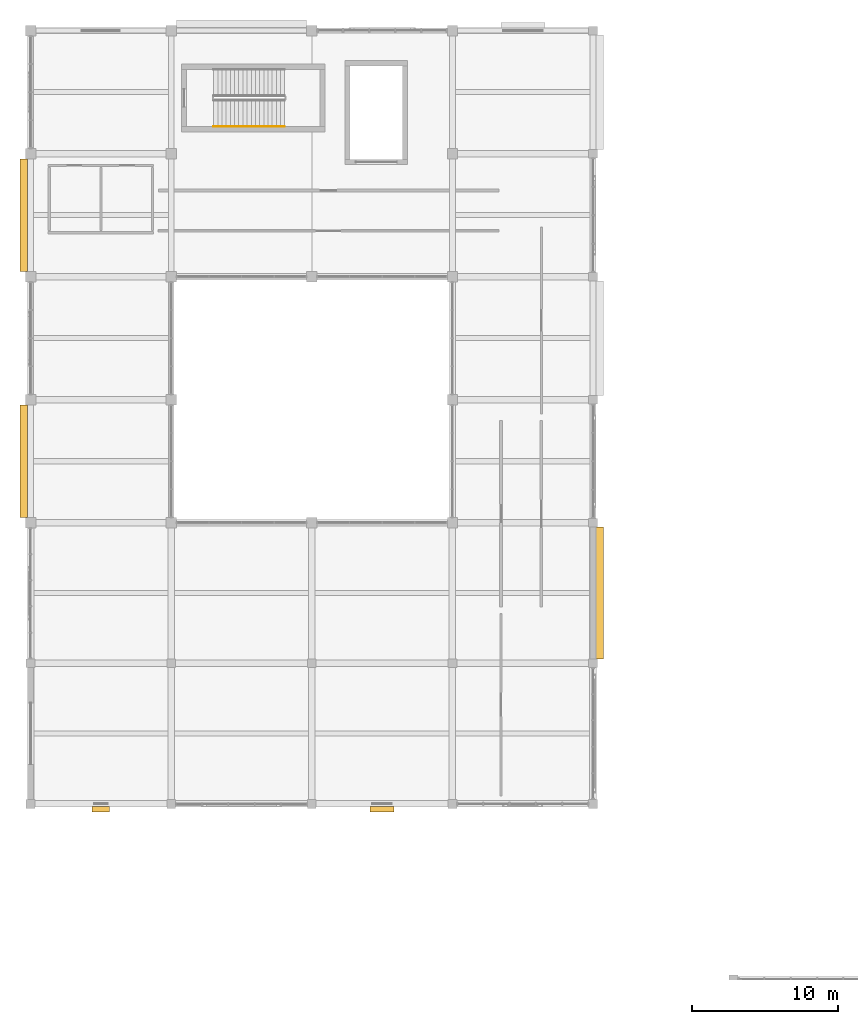
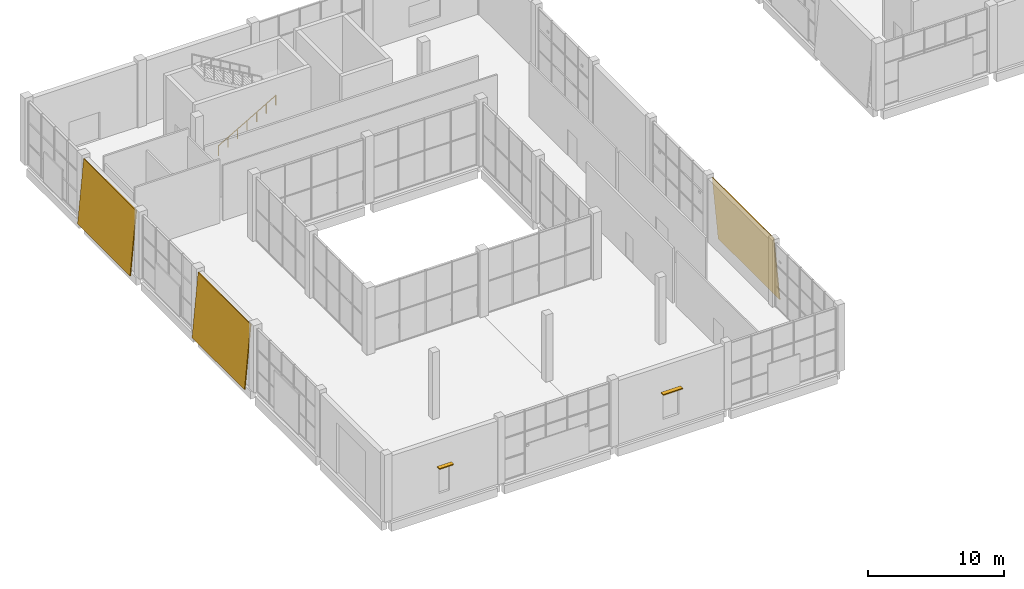
# One storey, part 75 of 84: 3 coverings, 2 shading devices, 1 railing.
"""IFC4 building model written with IfcOpenShell, lengths in metres."""

from ifc_helpers import new_model, si_unit, direction, frame, origin, origin_2d, place, context, subcontext, project, spatial, polyline, rectangle, circle, outline, extrude, material, layer, layer_set, type_object, element, save


model = new_model("IFC4")

# Units and contexts
model_context = context("Model", 3, precision=1e-05, world=origin(), true_north=direction((0.0, 1.0)))
body_context = subcontext(model_context, "Body", "Model", "MODEL_VIEW")
ifc_project = project(units=[si_unit("LENGTHUNIT", "METRE"), si_unit("AREAUNIT", "SQUARE_METRE"), si_unit("VOLUMEUNIT", "CUBIC_METRE"), si_unit("PLANEANGLEUNIT", "RADIAN"), si_unit("MASSUNIT", "GRAM", prefix="KILO")], contexts=[model_context])

# Site, building, storey
site_placement = place(None, origin())
site = spatial("IfcSite", under=ifc_project, at=site_placement, CompositionType="ELEMENT")
building_placement = place(site_placement, origin())
building = spatial("IfcBuilding", under=site, at=building_placement, Name="Shalvenor Court Art Gallery", CompositionType="ELEMENT")
storey_placement = place(building_placement, origin())
storey = spatial("IfcBuildingStorey", under=building, at=storey_placement, Name="L00", CompositionType="ELEMENT", Elevation=0.0)

# Coverings
ifc_material_1 = material(Name="Honed Jerusalem limestone cladding", Category="masonry")
ifc_layer = layer(ifc_material_1, 0.06494140625, Name="Honed Jerusalem limestone cladding")
ifc_layer_set = layer_set([ifc_layer], Name="Honed Jerusalem limestone cladding")
covering_type = type_object("IfcCoveringType", Name="CLD-02", PredefinedType="CLADDING", material=ifc_layer_set)
covering_1_placement = place(storey_placement, frame((39.126953125, 79.5, 0.0), z_axis=(0.0, 0.0, 1.0), x_axis=(0.0, 1.0, 0.0)))
element("IfcCovering", 1, at=covering_1_placement, inside=storey, type_object=covering_type, Name="L00 V5 Tapered Limestone Cladding 96", PredefinedType="CLADDING", context=body_context, shape_type="SweptSolid", body=[
    extrude(outline(polyline([(0.0, 0.0), (9.0, 0.0), (9.0, 5.703369140625), (0.0, 5.703369140625), (0.0, 0.0)])), frame((0.0, 0.0, 0.0), z_axis=(0.0, -0.995884398616, 0.090632580198), x_axis=(1.0, 0.0, 0.0)), (0.0, 0.090632580198, -0.995884398616), 0.080322265625),
])
covering_2_placement = place(storey_placement, frame((-0.726806640625, 96.85009765625, 0.0), z_axis=(0.0, 0.0, 1.0), x_axis=(0.0, -1.0, 0.0)))
element("IfcCovering", 2, at=covering_2_placement, inside=storey, type_object=covering_type, Name="L00 V5 Tapered Limestone Cladding 97", PredefinedType="CLADDING", context=body_context, shape_type="SweptSolid", body=[
    extrude(outline(polyline([(0.0, 0.0), (7.7001953125, 0.0), (7.7001953125, 5.703369140625), (0.0, 5.703369140625), (0.0, 0.0)])), frame((0.0, 0.0, 0.0), z_axis=(0.0, -0.995884398616, 0.090632580198), x_axis=(1.0, 0.0, 0.0)), (0.0, 0.090632580198, -0.995884398616), 0.080322265625),
])
covering_3_placement = place(storey_placement, frame((-0.726806640625, 113.64990234375, 0.0), z_axis=(0.0, 0.0, 1.0), x_axis=(0.0, -1.0, 0.0)))
element("IfcCovering", 3, at=covering_3_placement, inside=storey, type_object=covering_type, Name="L00 V5 Tapered Limestone Cladding 98", PredefinedType="CLADDING", context=body_context, shape_type="SweptSolid", body=[
    extrude(outline(polyline([(0.0, 0.0), (7.699951171875, 0.0), (7.699951171875, 5.703369140625), (0.0, 5.703369140625), (0.0, 0.0)])), frame((0.0, 0.0, 0.0), z_axis=(0.0, -0.995884398616, 0.090632580198), x_axis=(1.0, 0.0, 0.0)), (0.0, 0.090632580198, -0.995884398616), 0.080322265625),
])

# Railing
ifc_material_2 = material(Name="Brushed stainless steel handrail", Category="steel")
railing_type = type_object("IfcRailingType", Name="HR-01", PredefinedType="HANDRAIL", material=ifc_material_2)
railing_placement = place(storey_placement, frame((12.5, 115.85009765625, 0.166748046875)))
element("IfcRailing", 4, at=railing_placement, inside=storey, type_object=railing_type, Name="L00 ST-06 Stair Handrail 1", PredefinedType="HANDRAIL", context=body_context, shape_type="SweptSolid", body=[
    extrude(circle(Radius=0.02392578125, at=origin_2d()), frame((0.0, 0.0, 0.8759765625), z_axis=(0.863234098208, 0.0, 0.504803815052), x_axis=(0.0, 1.0, 0.0)), (0.0, 0.0, 1.0), 5.612548828125),
    extrude(circle(Radius=0.02099609375, at=origin_2d()), origin(), (0.0, 0.0, 1.0), 0.851806640625),
    extrude(circle(Radius=0.02099609375, at=origin_2d()), frame((0.8076171875, 0.0, 0.47216796875)), (0.0, 0.0, 1.0), 0.851806640625),
    extrude(circle(Radius=0.02099609375, at=origin_2d()), frame((1.614990234375, 0.0, 0.9443359375)), (0.0, 0.0, 1.0), 0.851806640625),
    extrude(circle(Radius=0.02099609375, at=origin_2d()), frame((2.42236328125, 0.0, 1.41650390625)), (0.0, 0.0, 1.0), 0.851806640625),
    extrude(circle(Radius=0.02099609375, at=origin_2d()), frame((3.22998046875, 0.0, 1.888916015625)), (0.0, 0.0, 1.0), 0.851806640625),
    extrude(circle(Radius=0.02099609375, at=origin_2d()), frame((4.03759765625, 0.0, 2.361083984375)), (0.0, 0.0, 1.0), 0.851806640625),
    extrude(circle(Radius=0.02099609375, at=origin_2d()), frame((4.844970703125, 0.0, 2.833251953125)), (0.0, 0.0, 1.0), 0.851806640625),
])

# Shading devices
ifc_material_3 = material(Name="Dark anodised bronze aluminium louvre", Category="aluminium")
shading_device_type = type_object("IfcShadingDeviceType", Name="SHD-01", PredefinedType="JALOUSIE", material=ifc_material_3)
shading_device_1_placement = place(storey_placement, frame((24.0, 69.22998046875, 3.300048828125), z_axis=(0.0, 0.0, 1.0), x_axis=(-1.0, 0.0, 0.0)))
element("IfcShadingDevice", 5, at=shading_device_1_placement, inside=storey, type_object=shading_device_type, Name="L00 Koushi Window Sunshade 57", PredefinedType="JALOUSIE", context=body_context, shape_type="SweptSolid", body=[
    extrude(rectangle(XDim=1.64990234375, YDim=0.360107421875, at=origin_2d()), origin(), (0.0, 0.0, 1.0), 0.080078125),
])
shading_device_2_placement = place(storey_placement, frame((4.800048828125, 69.22998046875, 3.300048828125), z_axis=(0.0, 0.0, 1.0), x_axis=(-1.0, 0.0, 0.0)))
element("IfcShadingDevice", 6, at=shading_device_2_placement, inside=storey, type_object=shading_device_type, Name="L00 Koushi Window Sunshade 58", PredefinedType="JALOUSIE", context=body_context, shape_type="SweptSolid", body=[
    extrude(rectangle(XDim=1.199951171875, YDim=0.360107421875, at=origin_2d()), origin(), (0.0, 0.0, 1.0), 0.080078125),
])

save(model, "model.ifc")
